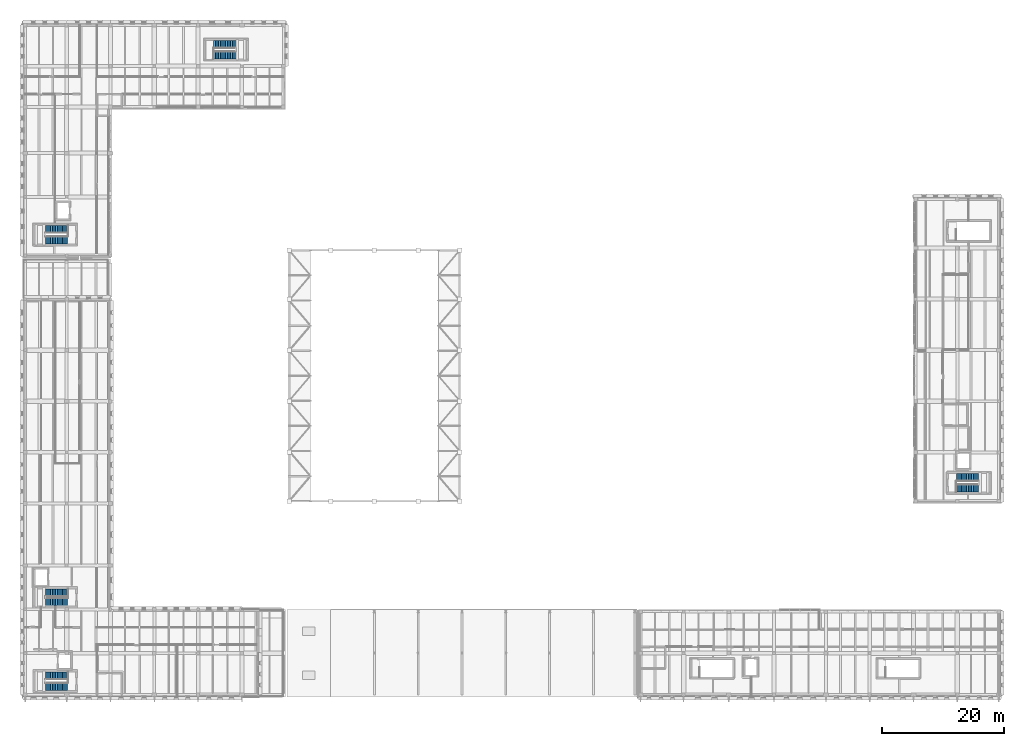
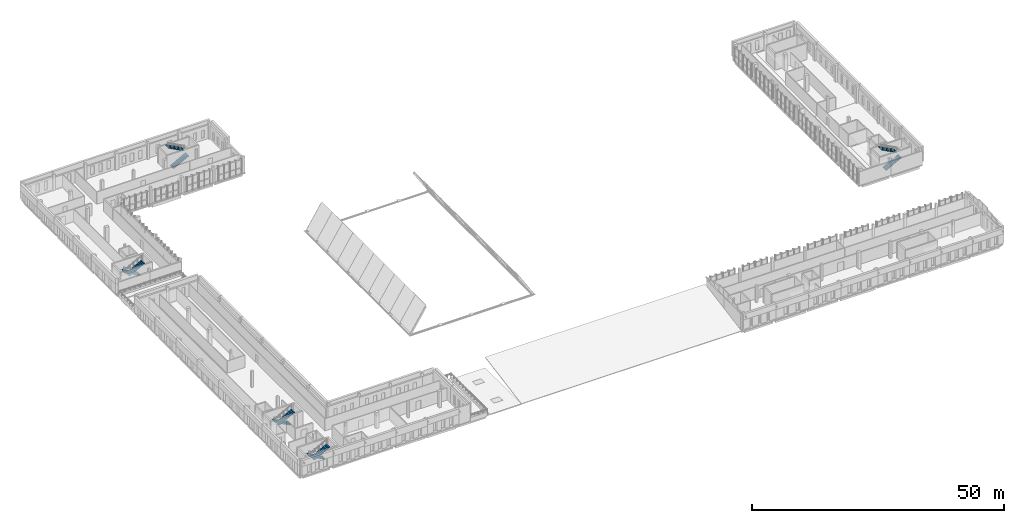
# One storey, part 46 of 56: 10 stair flights, 5 elements without a shape of their own.
"""IFC4 building model written with IfcOpenShell, lengths in metres."""

from ifc_helpers import new_model, si_unit, direction, frame, origin, place, context, subcontext, project, spatial, polyline, outline, extrude, material, type_object, element, aggregate, save


model = new_model("IFC4")

# Units and contexts
model_context = context("Model", 3, precision=1e-05, world=origin(), true_north=direction((0.0, 1.0)))
body_context = subcontext(model_context, "Body", "Model", "MODEL_VIEW")
ifc_project = project(units=[si_unit("LENGTHUNIT", "METRE"), si_unit("AREAUNIT", "SQUARE_METRE"), si_unit("VOLUMEUNIT", "CUBIC_METRE"), si_unit("PLANEANGLEUNIT", "RADIAN"), si_unit("MASSUNIT", "GRAM", prefix="KILO")], contexts=[model_context])

# Site, building, storey
site_placement = place(None, origin())
site = spatial("IfcSite", under=ifc_project, at=site_placement, CompositionType="ELEMENT")
building_placement = place(site_placement, origin())
building = spatial("IfcBuilding", under=site, at=building_placement, Name="Vardoun Plaza Health Centre", CompositionType="ELEMENT")
storey_placement = place(building_placement, frame((0.0, 0.0, 8.699951171875)))
storey = spatial("IfcBuildingStorey", under=building, at=storey_placement, Name="L02", CompositionType="ELEMENT", Elevation=8.699951171875)

# Stair, stair flights
ifc_material_1 = material(Name="Concrete C35/45", Category="concrete")
stair_type = type_object("IfcStairType", Name="ST-01", PredefinedType="HALF_TURN_STAIR", material=ifc_material_1)
stair_1_placement = place(storey_placement, origin())
stair_1 = element("IfcStair", 1, at=stair_1_placement, inside=storey, type_object=stair_type, Name="Core C1 L02 Exit Stair ST-C1-L02", PredefinedType="HALF_TURN_STAIR")
ifc_material_2 = material(Name="Concrete C35/45", Category="concrete")
stair_flight_type = type_object("IfcStairFlightType", Name="SF-01", PredefinedType="STRAIGHT", material=ifc_material_2)
stair_flight_1_placement = place(storey_placement, frame((11.85009765625, 7.97998046875, 0.0), z_axis=(0.0, 0.0, 1.0), x_axis=(-1.0, 0.0, 0.0)))
stair_flight_1 = element("IfcStairFlight", 2, at=stair_flight_1_placement, type_object=stair_flight_type, Name="ST-C1-L02 flight 1", NumberOfRisers=14, NumberOfTreads=13, PredefinedType="STRAIGHT", RiserHeight=0.15, TreadLength=0.28, context=body_context, shape_type="SweptSolid", body=[
    extrude(outline(polyline([(0.0, 0.0), (0.0, 0.14990234375), (0.280029296875, 0.14990234375), (0.280029296875, 0.300048828125), (0.56005859375, 0.300048828125), (0.56005859375, 0.449951171875), (0.840087890625, 0.449951171875), (0.840087890625, 0.60009765625), (1.1201171875, 0.60009765625), (1.1201171875, 0.75), (1.39990234375, 0.75), (1.39990234375, 0.89990234375), (1.679931640625, 0.89990234375), (1.679931640625, 1.050048828125), (1.9599609375, 1.050048828125), (1.9599609375, 1.199951171875), (2.239990234375, 1.199951171875), (2.239990234375, 1.35009765625), (2.52001953125, 1.35009765625), (2.52001953125, 1.5), (2.800048828125, 1.5), (2.800048828125, 1.64990234375), (3.080078125, 1.64990234375), (3.080078125, 1.800048828125), (3.360107421875, 1.800048828125), (3.360107421875, 1.949951171875), (3.639892578125, 1.949951171875), (3.639892578125, 2.10009765625), (3.639892578125, 1.780029296875), (0.3173828125, 0.0), (0.0, 0.0)])), frame((0.0, 0.625, 0.0), z_axis=(0.0, -1.0, 0.0), x_axis=(1.0, 0.0, 0.0)), (0.0, 0.0, 1.0), 1.25),
])
stair_flight_2_placement = place(storey_placement, frame((8.2099609375, 6.219970703125, 2.10009765625), z_axis=(0.0, 0.0, 1.0), x_axis=(1.0, 0.0, 0.0)))
stair_flight_2 = element("IfcStairFlight", 3, at=stair_flight_2_placement, type_object=stair_flight_type, Name="ST-C1-L02 flight 2", NumberOfRisers=14, NumberOfTreads=13, PredefinedType="STRAIGHT", RiserHeight=0.15, TreadLength=0.28, context=body_context, shape_type="SweptSolid", body=[
    extrude(outline(polyline([(0.0, 0.0), (0.0, 0.14990234375), (0.280029296875, 0.14990234375), (0.280029296875, 0.300048828125), (0.56005859375, 0.300048828125), (0.56005859375, 0.449951171875), (0.840087890625, 0.449951171875), (0.840087890625, 0.60009765625), (1.1201171875, 0.60009765625), (1.1201171875, 0.75), (1.39990234375, 0.75), (1.39990234375, 0.89990234375), (1.679931640625, 0.89990234375), (1.679931640625, 1.050048828125), (1.9599609375, 1.050048828125), (1.9599609375, 1.199951171875), (2.239990234375, 1.199951171875), (2.239990234375, 1.35009765625), (2.52001953125, 1.35009765625), (2.52001953125, 1.5), (2.800048828125, 1.5), (2.800048828125, 1.64990234375), (3.080078125, 1.64990234375), (3.080078125, 1.800048828125), (3.360107421875, 1.800048828125), (3.360107421875, 1.949951171875), (3.639892578125, 1.949951171875), (3.639892578125, 2.10009765625), (3.639892578125, 1.780029296875), (0.3173828125, 0.0), (0.0, 0.0)])), frame((0.0, 0.625, 0.0), z_axis=(0.0, -1.0, 0.0), x_axis=(1.0, 0.0, 0.0)), (0.0, 0.0, 1.0), 1.25),
])
aggregate(stair_1, [stair_flight_1, stair_flight_2])

stair_2_placement = place(storey_placement, origin())
stair_2 = element("IfcStair", 4, at=stair_2_placement, inside=storey, type_object=stair_type, Name="Core C10 L02 Exit Stair ST-C10-L02", PredefinedType="HALF_TURN_STAIR")
stair_flight_3_placement = place(storey_placement, frame((157.949951171875, 38.820068359375, 0.0), z_axis=(0.0, 0.0, 1.0), x_axis=(1.0, 0.0, 0.0)))
stair_flight_3 = element("IfcStairFlight", 5, at=stair_flight_3_placement, type_object=stair_flight_type, Name="ST-C10-L02 flight 1", NumberOfRisers=14, NumberOfTreads=13, PredefinedType="STRAIGHT", RiserHeight=0.15, TreadLength=0.28, context=body_context, shape_type="SweptSolid", body=[
    extrude(outline(polyline([(0.0, 0.0), (0.0, 0.14990234375), (0.280029296875, 0.14990234375), (0.280029296875, 0.300048828125), (0.56005859375, 0.300048828125), (0.56005859375, 0.449951171875), (0.840087890625, 0.449951171875), (0.840087890625, 0.60009765625), (1.1201171875, 0.60009765625), (1.1201171875, 0.75), (1.39990234375, 0.75), (1.39990234375, 0.89990234375), (1.679931640625, 0.89990234375), (1.679931640625, 1.050048828125), (1.9599609375, 1.050048828125), (1.9599609375, 1.199951171875), (2.239990234375, 1.199951171875), (2.239990234375, 1.35009765625), (2.52001953125, 1.35009765625), (2.52001953125, 1.5), (2.800048828125, 1.5), (2.800048828125, 1.64990234375), (3.080078125, 1.64990234375), (3.080078125, 1.800048828125), (3.360107421875, 1.800048828125), (3.360107421875, 1.949951171875), (3.639892578125, 1.949951171875), (3.639892578125, 2.10009765625), (3.639892578125, 1.780029296875), (0.3173828125, 0.0), (0.0, 0.0)])), frame((0.0, 0.625, 0.0), z_axis=(0.0, -1.0, 0.0), x_axis=(1.0, 0.0, 0.0)), (0.0, 0.0, 1.0), 1.25),
])
stair_flight_4_placement = place(storey_placement, frame((161.590087890625, 40.580078125, 2.10009765625), z_axis=(0.0, 0.0, 1.0), x_axis=(-1.0, 0.0, 0.0)))
stair_flight_4 = element("IfcStairFlight", 6, at=stair_flight_4_placement, type_object=stair_flight_type, Name="ST-C10-L02 flight 2", NumberOfRisers=14, NumberOfTreads=13, PredefinedType="STRAIGHT", RiserHeight=0.15, TreadLength=0.28, context=body_context, shape_type="SweptSolid", body=[
    extrude(outline(polyline([(0.0, 0.0), (0.0, 0.14990234375), (0.280029296875, 0.14990234375), (0.280029296875, 0.300048828125), (0.56005859375, 0.300048828125), (0.56005859375, 0.449951171875), (0.840087890625, 0.449951171875), (0.840087890625, 0.60009765625), (1.1201171875, 0.60009765625), (1.1201171875, 0.75), (1.39990234375, 0.75), (1.39990234375, 0.89990234375), (1.679931640625, 0.89990234375), (1.679931640625, 1.050048828125), (1.9599609375, 1.050048828125), (1.9599609375, 1.199951171875), (2.239990234375, 1.199951171875), (2.239990234375, 1.35009765625), (2.52001953125, 1.35009765625), (2.52001953125, 1.5), (2.800048828125, 1.5), (2.800048828125, 1.64990234375), (3.080078125, 1.64990234375), (3.080078125, 1.800048828125), (3.360107421875, 1.800048828125), (3.360107421875, 1.949951171875), (3.639892578125, 1.949951171875), (3.639892578125, 2.10009765625), (3.639892578125, 1.780029296875), (0.3173828125, 0.0), (0.0, 0.0)])), frame((0.0, 0.625, 0.0), z_axis=(0.0, -1.0, 0.0), x_axis=(1.0, 0.0, 0.0)), (0.0, 0.0, 1.0), 1.25),
])
aggregate(stair_2, [stair_flight_3, stair_flight_4])

stair_3_placement = place(storey_placement, origin())
stair_3 = element("IfcStair", 7, at=stair_3_placement, inside=storey, type_object=stair_type, Name="Core C2 L02 Exit Stair ST-C2-L02", PredefinedType="HALF_TURN_STAIR")
stair_flight_5_placement = place(storey_placement, frame((11.85009765625, 21.6298828125, 0.0), z_axis=(0.0, 0.0, 1.0), x_axis=(-1.0, 0.0, 0.0)))
stair_flight_5 = element("IfcStairFlight", 8, at=stair_flight_5_placement, type_object=stair_flight_type, Name="ST-C2-L02 flight 1", NumberOfRisers=14, NumberOfTreads=13, PredefinedType="STRAIGHT", RiserHeight=0.15, TreadLength=0.28, context=body_context, shape_type="SweptSolid", body=[
    extrude(outline(polyline([(0.0, 0.0), (0.0, 0.14990234375), (0.280029296875, 0.14990234375), (0.280029296875, 0.300048828125), (0.56005859375, 0.300048828125), (0.56005859375, 0.449951171875), (0.840087890625, 0.449951171875), (0.840087890625, 0.60009765625), (1.1201171875, 0.60009765625), (1.1201171875, 0.75), (1.39990234375, 0.75), (1.39990234375, 0.89990234375), (1.679931640625, 0.89990234375), (1.679931640625, 1.050048828125), (1.9599609375, 1.050048828125), (1.9599609375, 1.199951171875), (2.239990234375, 1.199951171875), (2.239990234375, 1.35009765625), (2.52001953125, 1.35009765625), (2.52001953125, 1.5), (2.800048828125, 1.5), (2.800048828125, 1.64990234375), (3.080078125, 1.64990234375), (3.080078125, 1.800048828125), (3.360107421875, 1.800048828125), (3.360107421875, 1.949951171875), (3.639892578125, 1.949951171875), (3.639892578125, 2.10009765625), (3.639892578125, 1.780029296875), (0.3173828125, 0.0), (0.0, 0.0)])), frame((0.0, 0.625, 0.0), z_axis=(0.0, -1.0, 0.0), x_axis=(1.0, 0.0, 0.0)), (0.0, 0.0, 1.0), 1.25),
])
stair_flight_6_placement = place(storey_placement, frame((8.2099609375, 20.1201171875, 2.10009765625), z_axis=(0.0, 0.0, 1.0), x_axis=(1.0, 0.0, 0.0)))
stair_flight_6 = element("IfcStairFlight", 9, at=stair_flight_6_placement, type_object=stair_flight_type, Name="ST-C2-L02 flight 2", NumberOfRisers=14, NumberOfTreads=13, PredefinedType="STRAIGHT", RiserHeight=0.15, TreadLength=0.28, context=body_context, shape_type="SweptSolid", body=[
    extrude(outline(polyline([(0.0, 0.0), (0.0, 0.14990234375), (0.280029296875, 0.14990234375), (0.280029296875, 0.300048828125), (0.56005859375, 0.300048828125), (0.56005859375, 0.449951171875), (0.840087890625, 0.449951171875), (0.840087890625, 0.60009765625), (1.1201171875, 0.60009765625), (1.1201171875, 0.75), (1.39990234375, 0.75), (1.39990234375, 0.89990234375), (1.679931640625, 0.89990234375), (1.679931640625, 1.050048828125), (1.9599609375, 1.050048828125), (1.9599609375, 1.199951171875), (2.239990234375, 1.199951171875), (2.239990234375, 1.35009765625), (2.52001953125, 1.35009765625), (2.52001953125, 1.5), (2.800048828125, 1.5), (2.800048828125, 1.64990234375), (3.080078125, 1.64990234375), (3.080078125, 1.800048828125), (3.360107421875, 1.800048828125), (3.360107421875, 1.949951171875), (3.639892578125, 1.949951171875), (3.639892578125, 2.10009765625), (3.639892578125, 1.780029296875), (0.3173828125, 0.0), (0.0, 0.0)])), frame((0.0, 0.625, 0.0), z_axis=(0.0, -1.0, 0.0), x_axis=(1.0, 0.0, 0.0)), (0.0, 0.0, 1.0), 1.25),
])
aggregate(stair_3, [stair_flight_5, stair_flight_6])

stair_4_placement = place(storey_placement, origin())
stair_4 = element("IfcStair", 10, at=stair_4_placement, inside=storey, type_object=stair_type, Name="Core C3 L02 Exit Stair ST-C3-L02", PredefinedType="HALF_TURN_STAIR")
stair_flight_7_placement = place(storey_placement, frame((11.85009765625, 81.3798828125, 0.0), z_axis=(0.0, 0.0, 1.0), x_axis=(-1.0, 0.0, 0.0)))
stair_flight_7 = element("IfcStairFlight", 11, at=stair_flight_7_placement, type_object=stair_flight_type, Name="ST-C3-L02 flight 1", NumberOfRisers=14, NumberOfTreads=13, PredefinedType="STRAIGHT", RiserHeight=0.15, TreadLength=0.28, context=body_context, shape_type="SweptSolid", body=[
    extrude(outline(polyline([(0.0, 0.0), (0.0, 0.14990234375), (0.280029296875, 0.14990234375), (0.280029296875, 0.300048828125), (0.56005859375, 0.300048828125), (0.56005859375, 0.449951171875), (0.840087890625, 0.449951171875), (0.840087890625, 0.60009765625), (1.1201171875, 0.60009765625), (1.1201171875, 0.75), (1.39990234375, 0.75), (1.39990234375, 0.89990234375), (1.679931640625, 0.89990234375), (1.679931640625, 1.050048828125), (1.9599609375, 1.050048828125), (1.9599609375, 1.199951171875), (2.239990234375, 1.199951171875), (2.239990234375, 1.35009765625), (2.52001953125, 1.35009765625), (2.52001953125, 1.5), (2.800048828125, 1.5), (2.800048828125, 1.64990234375), (3.080078125, 1.64990234375), (3.080078125, 1.800048828125), (3.360107421875, 1.800048828125), (3.360107421875, 1.949951171875), (3.639892578125, 1.949951171875), (3.639892578125, 2.10009765625), (3.639892578125, 1.780029296875), (0.3173828125, 0.0), (0.0, 0.0)])), frame((0.0, 0.625, 0.0), z_axis=(0.0, -1.0, 0.0), x_axis=(1.0, 0.0, 0.0)), (0.0, 0.0, 1.0), 1.25),
])
stair_flight_8_placement = place(storey_placement, frame((8.2099609375, 79.6201171875, 2.10009765625), z_axis=(0.0, 0.0, 1.0), x_axis=(1.0, 0.0, 0.0)))
stair_flight_8 = element("IfcStairFlight", 12, at=stair_flight_8_placement, type_object=stair_flight_type, Name="ST-C3-L02 flight 2", NumberOfRisers=14, NumberOfTreads=13, PredefinedType="STRAIGHT", RiserHeight=0.15, TreadLength=0.28, context=body_context, shape_type="SweptSolid", body=[
    extrude(outline(polyline([(0.0, 0.0), (0.0, 0.14990234375), (0.280029296875, 0.14990234375), (0.280029296875, 0.300048828125), (0.56005859375, 0.300048828125), (0.56005859375, 0.449951171875), (0.840087890625, 0.449951171875), (0.840087890625, 0.60009765625), (1.1201171875, 0.60009765625), (1.1201171875, 0.75), (1.39990234375, 0.75), (1.39990234375, 0.89990234375), (1.679931640625, 0.89990234375), (1.679931640625, 1.050048828125), (1.9599609375, 1.050048828125), (1.9599609375, 1.199951171875), (2.239990234375, 1.199951171875), (2.239990234375, 1.35009765625), (2.52001953125, 1.35009765625), (2.52001953125, 1.5), (2.800048828125, 1.5), (2.800048828125, 1.64990234375), (3.080078125, 1.64990234375), (3.080078125, 1.800048828125), (3.360107421875, 1.800048828125), (3.360107421875, 1.949951171875), (3.639892578125, 1.949951171875), (3.639892578125, 2.10009765625), (3.639892578125, 1.780029296875), (0.3173828125, 0.0), (0.0, 0.0)])), frame((0.0, 0.625, 0.0), z_axis=(0.0, -1.0, 0.0), x_axis=(1.0, 0.0, 0.0)), (0.0, 0.0, 1.0), 1.25),
])
aggregate(stair_4, [stair_flight_7, stair_flight_8])

stair_5_placement = place(storey_placement, origin())
stair_5 = element("IfcStair", 13, at=stair_5_placement, inside=storey, type_object=stair_type, Name="Core C4 L02 Exit Stair ST-C4-L02", PredefinedType="HALF_TURN_STAIR")
stair_flight_9_placement = place(storey_placement, frame((35.85009765625, 110.02001953125, 0.0), z_axis=(0.0, 0.0, 1.0), x_axis=(1.0, 0.0, 0.0)))
stair_flight_9 = element("IfcStairFlight", 14, at=stair_flight_9_placement, type_object=stair_flight_type, Name="ST-C4-L02 flight 1", NumberOfRisers=14, NumberOfTreads=13, PredefinedType="STRAIGHT", RiserHeight=0.15, TreadLength=0.28, context=body_context, shape_type="SweptSolid", body=[
    extrude(outline(polyline([(0.0, 0.0), (0.0, 0.14990234375), (0.280029296875, 0.14990234375), (0.280029296875, 0.300048828125), (0.56005859375, 0.300048828125), (0.56005859375, 0.449951171875), (0.840087890625, 0.449951171875), (0.840087890625, 0.60009765625), (1.1201171875, 0.60009765625), (1.1201171875, 0.75), (1.39990234375, 0.75), (1.39990234375, 0.89990234375), (1.679931640625, 0.89990234375), (1.679931640625, 1.050048828125), (1.9599609375, 1.050048828125), (1.9599609375, 1.199951171875), (2.239990234375, 1.199951171875), (2.239990234375, 1.35009765625), (2.52001953125, 1.35009765625), (2.52001953125, 1.5), (2.800048828125, 1.5), (2.800048828125, 1.64990234375), (3.080078125, 1.64990234375), (3.080078125, 1.800048828125), (3.360107421875, 1.800048828125), (3.360107421875, 1.949951171875), (3.639892578125, 1.949951171875), (3.639892578125, 2.10009765625), (3.639892578125, 1.780029296875), (0.3173828125, 0.0), (0.0, 0.0)])), frame((0.0, 0.625, 0.0), z_axis=(0.0, -1.0, 0.0), x_axis=(1.0, 0.0, 0.0)), (0.0, 0.0, 1.0), 1.25),
])
stair_flight_10_placement = place(storey_placement, frame((39.489990234375, 111.780029296875, 2.10009765625), z_axis=(0.0, 0.0, 1.0), x_axis=(-1.0, 0.0, 0.0)))
stair_flight_10 = element("IfcStairFlight", 15, at=stair_flight_10_placement, type_object=stair_flight_type, Name="ST-C4-L02 flight 2", NumberOfRisers=14, NumberOfTreads=13, PredefinedType="STRAIGHT", RiserHeight=0.15, TreadLength=0.28, context=body_context, shape_type="SweptSolid", body=[
    extrude(outline(polyline([(0.0, 0.0), (0.0, 0.14990234375), (0.280029296875, 0.14990234375), (0.280029296875, 0.300048828125), (0.56005859375, 0.300048828125), (0.56005859375, 0.449951171875), (0.840087890625, 0.449951171875), (0.840087890625, 0.60009765625), (1.1201171875, 0.60009765625), (1.1201171875, 0.75), (1.39990234375, 0.75), (1.39990234375, 0.89990234375), (1.679931640625, 0.89990234375), (1.679931640625, 1.050048828125), (1.9599609375, 1.050048828125), (1.9599609375, 1.199951171875), (2.239990234375, 1.199951171875), (2.239990234375, 1.35009765625), (2.52001953125, 1.35009765625), (2.52001953125, 1.5), (2.800048828125, 1.5), (2.800048828125, 1.64990234375), (3.080078125, 1.64990234375), (3.080078125, 1.800048828125), (3.360107421875, 1.800048828125), (3.360107421875, 1.949951171875), (3.639892578125, 1.949951171875), (3.639892578125, 2.10009765625), (3.639892578125, 1.780029296875), (0.3173828125, 0.0), (0.0, 0.0)])), frame((0.0, 0.625, 0.0), z_axis=(0.0, -1.0, 0.0), x_axis=(1.0, 0.0, 0.0)), (0.0, 0.0, 1.0), 1.25),
])
aggregate(stair_5, [stair_flight_9, stair_flight_10])

save(model, "model.ifc")
